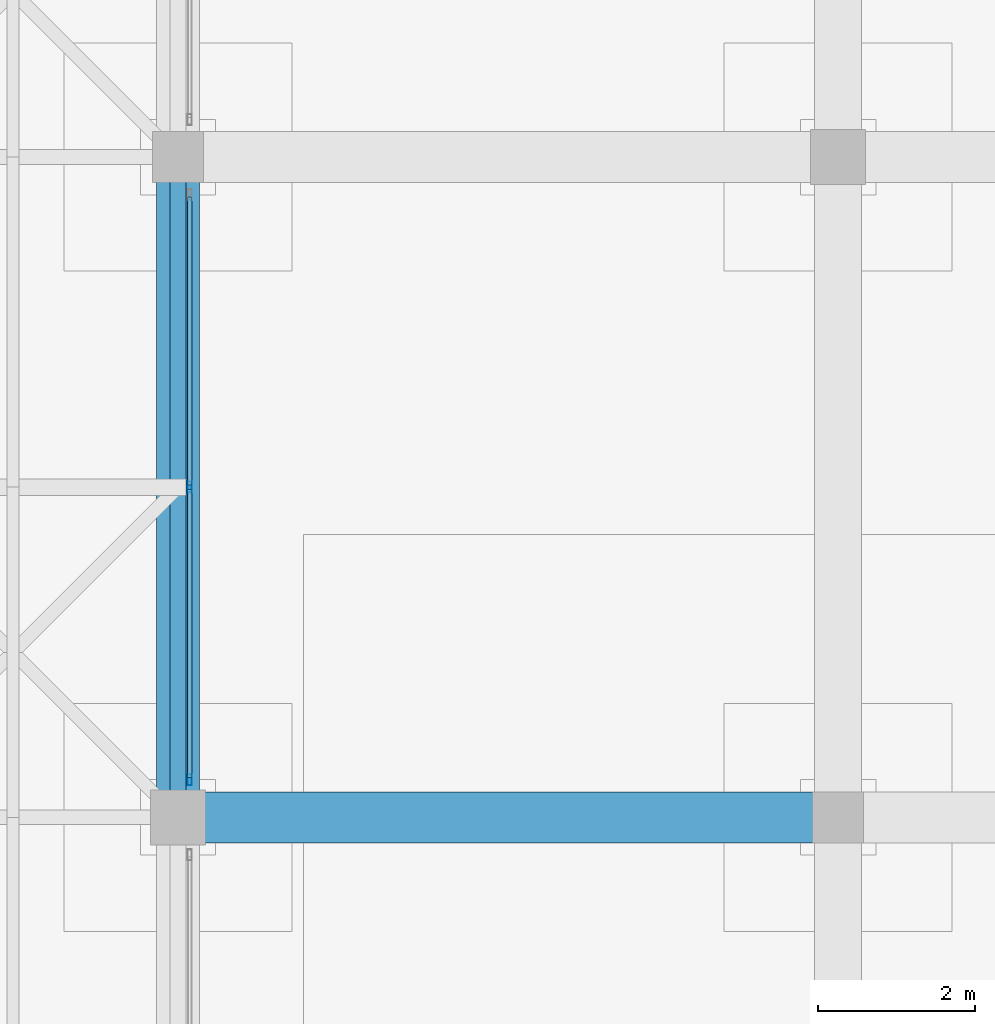
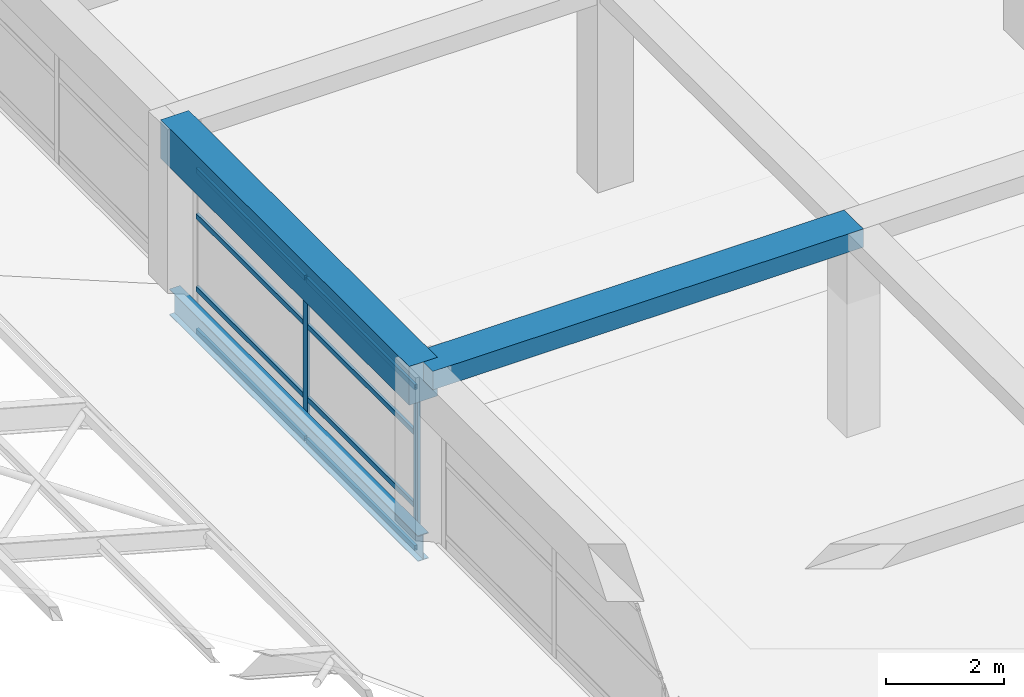
# One storey, part 41 of 85: 10 members, 3 beams, 1 element without a shape of its own.
"""IFC4 building model written with IfcOpenShell, lengths in metres."""

from ifc_helpers import new_model, si_unit, direction, frame, origin, origin_2d, place, context, subcontext, project, spatial, rectangle, hollow_rectangle, i_section, extrude, material, material_profile, profile_set, type_object, element, aggregate, save


model = new_model("IFC4")

# Units and contexts
model_context = context("Model", 3, precision=1e-05, world=origin(), true_north=direction((0.0, 1.0)))
body_context = subcontext(model_context, "Body", "Model", "MODEL_VIEW")
ifc_project = project(units=[si_unit("LENGTHUNIT", "METRE"), si_unit("AREAUNIT", "SQUARE_METRE"), si_unit("VOLUMEUNIT", "CUBIC_METRE"), si_unit("PLANEANGLEUNIT", "RADIAN"), si_unit("MASSUNIT", "GRAM", prefix="KILO")], contexts=[model_context])

# Site, building, storey
site_placement = place(None, origin())
site = spatial("IfcSite", under=ifc_project, at=site_placement, CompositionType="ELEMENT")
building_placement = place(site_placement, origin())
building = spatial("IfcBuilding", under=site, at=building_placement, Name="Almacenes y Pasaje Nevantli", CompositionType="ELEMENT")
storey_placement = place(building_placement, frame((0.0, 0.0, 22.199951171875)))
storey = spatial("IfcBuildingStorey", under=building, at=storey_placement, Name="L05", CompositionType="ELEMENT", Elevation=22.199951171875)

# Beams
ifc_material_1 = material(Name="Concrete C35/45", Category="concrete")
ifc_material_profile_1 = material_profile(ifc_material_1, rectangle(XDim=0.550048828125, YDim=0.800048828125, at=origin_2d()), Name="RC-BM-550x800")
ifc_profile_set_1 = profile_set([ifc_material_profile_1], Name="Concrete C35/45")
beam_type_1 = type_object("IfcBeamType", Name="BM-RC-550x800", PredefinedType="BEAM", material=ifc_profile_set_1)
beam_1_placement = place(storey_placement, frame((92.39990234375, 92.39990234375, 3.820068359375), z_axis=(0.0, 1.0, 0.0), x_axis=(-1.0, 0.0, 0.0)))
element("IfcBeam", 1, at=beam_1_placement, inside=storey, type_object=beam_type_1, Name="L05 North-South Reinforced Concrete Beam #3475", PredefinedType="BEAM", context=body_context, shape_type="SweptSolid", body=[
    extrude(rectangle(XDim=0.550048828125, YDim=0.800048828125, at=origin_2d()), origin(), (0.0, 0.0, 1.0), 8.400146484375),
])
ifc_material_2 = material(Name="Concrete C35/45", Category="concrete")
ifc_material_profile_2 = material_profile(ifc_material_2, rectangle(XDim=0.64990234375, YDim=0.3798828125, at=origin_2d()), Name="RC-BM-650x380")
ifc_profile_set_2 = profile_set([ifc_material_profile_2], Name="Concrete C35/45")
beam_type_2 = type_object("IfcBeamType", Name="BM-RC-650x380", PredefinedType="BEAM", material=ifc_profile_set_2)
beam_2_placement = place(storey_placement, frame((92.39990234375, 92.39990234375, 4.030029296875), z_axis=(1.0, 0.0, 0.0), x_axis=(0.0, 1.0, 0.0)))
element("IfcBeam", 2, at=beam_2_placement, inside=storey, type_object=beam_type_2, Name="L05 East-West Reinforced Concrete Beam #3362", PredefinedType="BEAM", context=body_context, shape_type="SweptSolid", body=[
    extrude(rectangle(XDim=0.64990234375, YDim=0.3798828125, at=origin_2d()), origin(), (0.0, 0.0, 1.0), 8.400146484375),
])
ifc_material_3 = material(Name="Steel ASTM A992", Category="steel")
ifc_material_profile_3 = material_profile(ifc_material_3, i_section(OverallWidth=0.208984375, OverallDepth=0.532958984375, WebThickness=0.01025390625, FlangeThickness=0.015625, at=origin_2d()), Name="IR 533x92.5")
ifc_profile_set_3 = profile_set([ifc_material_profile_3], Name="Steel ASTM A992")
beam_type_3 = type_object("IfcBeamType", Name="BM-STL-IR-533x92p5", PredefinedType="BEAM", material=ifc_profile_set_3)
beam_3_placement = place(storey_placement, frame((92.39990234375, 92.39990234375, 0.400146484375), z_axis=(0.0, 1.0, 0.0), x_axis=(-1.0, 0.0, 0.0)))
element("IfcBeam", 3, at=beam_3_placement, inside=storey, type_object=beam_type_3, Name="L05 Arcade Barrel Vault Eave Steel Girder #2.12", PredefinedType="BEAM", context=body_context, shape_type="SweptSolid", body=[
    extrude(i_section(OverallWidth=0.208984375, OverallDepth=0.532958984375, WebThickness=0.01025390625, FlangeThickness=0.015625, at=origin_2d()), origin(), (0.0, 0.0, 1.0), 8.400146484375),
])

# Curtain wall, members
ifc_material_4 = material(Name="Thermally Broken Aluminium and Low-E Glass", Category="aluminium")
curtain_wall_type = type_object("IfcCurtainWallType", Name="CW-UNIT-PODIUM", PredefinedType="USERDEFINED", material=ifc_material_4)
curtain_wall_placement = place(storey_placement, origin())
curtain_wall = element("IfcCurtainWall", 4, at=curtain_wall_placement, inside=storey, type_object=curtain_wall_type, Name="L05 Sky-Lobby West Arcade View Curtain Wall Bay 12", ObjectType="UNITIZED CURTAIN WALL", PredefinedType="USERDEFINED")
ifc_material_5 = material(Name="Thermally Broken Anodized Aluminium", Category="aluminium")
ifc_material_profile_4 = material_profile(ifc_material_5, hollow_rectangle(XDim=0.054931640625, YDim=0.139892578125, WallThickness=0.00341796875, at=origin_2d()), Name="ALU-MUL-55x140")
ifc_profile_set_4 = profile_set([ifc_material_profile_4], Name="Thermally Broken Anodized Aluminium")
member_type_1 = type_object("IfcMemberType", Name="CW-MUL-160", PredefinedType="MULLION", material=ifc_profile_set_4)
member_1_placement = place(storey_placement, frame((92.550048828125, 92.87744140625, 0.0), z_axis=(0.0, 0.0, 1.0), x_axis=(-1.0, 0.0, 0.0)))
member_1 = element("IfcMember", 5, at=member_1_placement, type_object=member_type_1, Name="CW-L05-099 mullion 1", PredefinedType="MULLION", context=body_context, shape_type="SweptSolid", body=[
    extrude(hollow_rectangle(XDim=0.054931640625, YDim=0.139892578125, WallThickness=0.00341796875, at=origin_2d()), origin(), (0.0, 0.0, 1.0), 3.3701171875),
])
member_2_placement = place(storey_placement, frame((92.550048828125, 96.60009765625, 0.0), z_axis=(0.0, 0.0, 1.0), x_axis=(-1.0, 0.0, 0.0)))
member_2 = element("IfcMember", 6, at=member_2_placement, type_object=member_type_1, Name="CW-L05-099 mullion 2", PredefinedType="MULLION", context=body_context, shape_type="SweptSolid", body=[
    extrude(hollow_rectangle(XDim=0.054931640625, YDim=0.139892578125, WallThickness=0.00341796875, at=origin_2d()), origin(), (0.0, 0.0, 1.0), 3.3701171875),
])
ifc_material_6 = material(Name="Thermally Broken Anodized Aluminium", Category="aluminium")
ifc_material_profile_5 = material_profile(ifc_material_6, hollow_rectangle(XDim=0.054931640625, YDim=0.10498046875, WallThickness=0.003173828125, at=origin_2d()), Name="ALU-TRN-55x105")
ifc_profile_set_5 = profile_set([ifc_material_profile_5], Name="Thermally Broken Anodized Aluminium")
member_type_2 = type_object("IfcMemberType", Name="CW-TRN-120", PredefinedType="USERDEFINED", material=ifc_profile_set_5)
member_3_placement = place(storey_placement, frame((92.550048828125, 92.905029296875, 0.027587890625), z_axis=(0.0, 1.0, 0.0), x_axis=(-1.0, 0.0, 0.0)))
member_3 = element("IfcMember", 7, at=member_3_placement, type_object=member_type_2, Name="CW-L05-099 transom 1.1", ObjectType="TRANSOM", PredefinedType="USERDEFINED", context=body_context, shape_type="SweptSolid", body=[
    extrude(hollow_rectangle(XDim=0.054931640625, YDim=0.10498046875, WallThickness=0.003173828125, at=origin_2d()), origin(), (0.0, 0.0, 1.0), 3.66748046875),
])
member_4_placement = place(storey_placement, frame((92.550048828125, 92.905029296875, 0.900146484375), z_axis=(0.0, 1.0, 0.0), x_axis=(-1.0, 0.0, 0.0)))
member_4 = element("IfcMember", 8, at=member_4_placement, type_object=member_type_2, Name="CW-L05-099 transom 1.2", ObjectType="TRANSOM", PredefinedType="USERDEFINED", context=body_context, shape_type="SweptSolid", body=[
    extrude(hollow_rectangle(XDim=0.054931640625, YDim=0.10498046875, WallThickness=0.003173828125, at=origin_2d()), origin(), (0.0, 0.0, 1.0), 3.66748046875),
])
member_5_placement = place(storey_placement, frame((92.550048828125, 92.905029296875, 2.400146484375), z_axis=(0.0, 1.0, 0.0), x_axis=(-1.0, 0.0, 0.0)))
member_5 = element("IfcMember", 9, at=member_5_placement, type_object=member_type_2, Name="CW-L05-099 transom 1.3", ObjectType="TRANSOM", PredefinedType="USERDEFINED", context=body_context, shape_type="SweptSolid", body=[
    extrude(hollow_rectangle(XDim=0.054931640625, YDim=0.10498046875, WallThickness=0.003173828125, at=origin_2d()), origin(), (0.0, 0.0, 1.0), 3.66748046875),
])
member_6_placement = place(storey_placement, frame((92.550048828125, 92.905029296875, 3.342529296875), z_axis=(0.0, 1.0, 0.0), x_axis=(-1.0, 0.0, 0.0)))
member_6 = element("IfcMember", 10, at=member_6_placement, type_object=member_type_2, Name="CW-L05-099 transom 1.4", ObjectType="TRANSOM", PredefinedType="USERDEFINED", context=body_context, shape_type="SweptSolid", body=[
    extrude(hollow_rectangle(XDim=0.054931640625, YDim=0.10498046875, WallThickness=0.003173828125, at=origin_2d()), origin(), (0.0, 0.0, 1.0), 3.66748046875),
])
member_7_placement = place(storey_placement, frame((92.550048828125, 96.62744140625, 0.027587890625), z_axis=(0.0, 1.0, 0.0), x_axis=(-1.0, 0.0, 0.0)))
member_7 = element("IfcMember", 11, at=member_7_placement, type_object=member_type_2, Name="CW-L05-099 transom 2.1", ObjectType="TRANSOM", PredefinedType="USERDEFINED", context=body_context, shape_type="SweptSolid", body=[
    extrude(hollow_rectangle(XDim=0.054931640625, YDim=0.10498046875, WallThickness=0.003173828125, at=origin_2d()), origin(), (0.0, 0.0, 1.0), 3.66748046875),
])
member_8_placement = place(storey_placement, frame((92.550048828125, 96.62744140625, 0.900146484375), z_axis=(0.0, 1.0, 0.0), x_axis=(-1.0, 0.0, 0.0)))
member_8 = element("IfcMember", 12, at=member_8_placement, type_object=member_type_2, Name="CW-L05-099 transom 2.2", ObjectType="TRANSOM", PredefinedType="USERDEFINED", context=body_context, shape_type="SweptSolid", body=[
    extrude(hollow_rectangle(XDim=0.054931640625, YDim=0.10498046875, WallThickness=0.003173828125, at=origin_2d()), origin(), (0.0, 0.0, 1.0), 3.66748046875),
])
member_9_placement = place(storey_placement, frame((92.550048828125, 96.62744140625, 2.400146484375), z_axis=(0.0, 1.0, 0.0), x_axis=(-1.0, 0.0, 0.0)))
member_9 = element("IfcMember", 13, at=member_9_placement, type_object=member_type_2, Name="CW-L05-099 transom 2.3", ObjectType="TRANSOM", PredefinedType="USERDEFINED", context=body_context, shape_type="SweptSolid", body=[
    extrude(hollow_rectangle(XDim=0.054931640625, YDim=0.10498046875, WallThickness=0.003173828125, at=origin_2d()), origin(), (0.0, 0.0, 1.0), 3.66748046875),
])
member_10_placement = place(storey_placement, frame((92.550048828125, 96.62744140625, 3.342529296875), z_axis=(0.0, 1.0, 0.0), x_axis=(-1.0, 0.0, 0.0)))
member_10 = element("IfcMember", 14, at=member_10_placement, type_object=member_type_2, Name="CW-L05-099 transom 2.4", ObjectType="TRANSOM", PredefinedType="USERDEFINED", context=body_context, shape_type="SweptSolid", body=[
    extrude(hollow_rectangle(XDim=0.054931640625, YDim=0.10498046875, WallThickness=0.003173828125, at=origin_2d()), origin(), (0.0, 0.0, 1.0), 3.66748046875),
])
aggregate(curtain_wall, [member_1, member_2, member_3, member_4, member_5, member_6, member_7, member_8, member_9, member_10])

save(model, "model.ifc")
